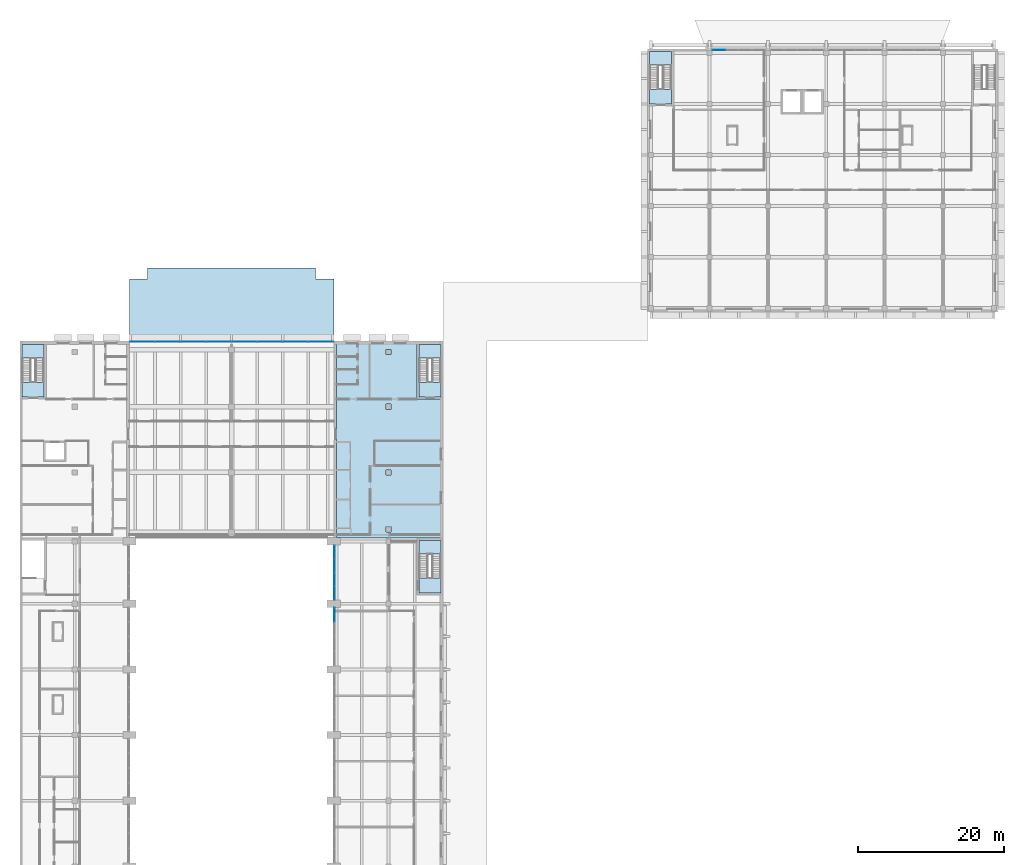
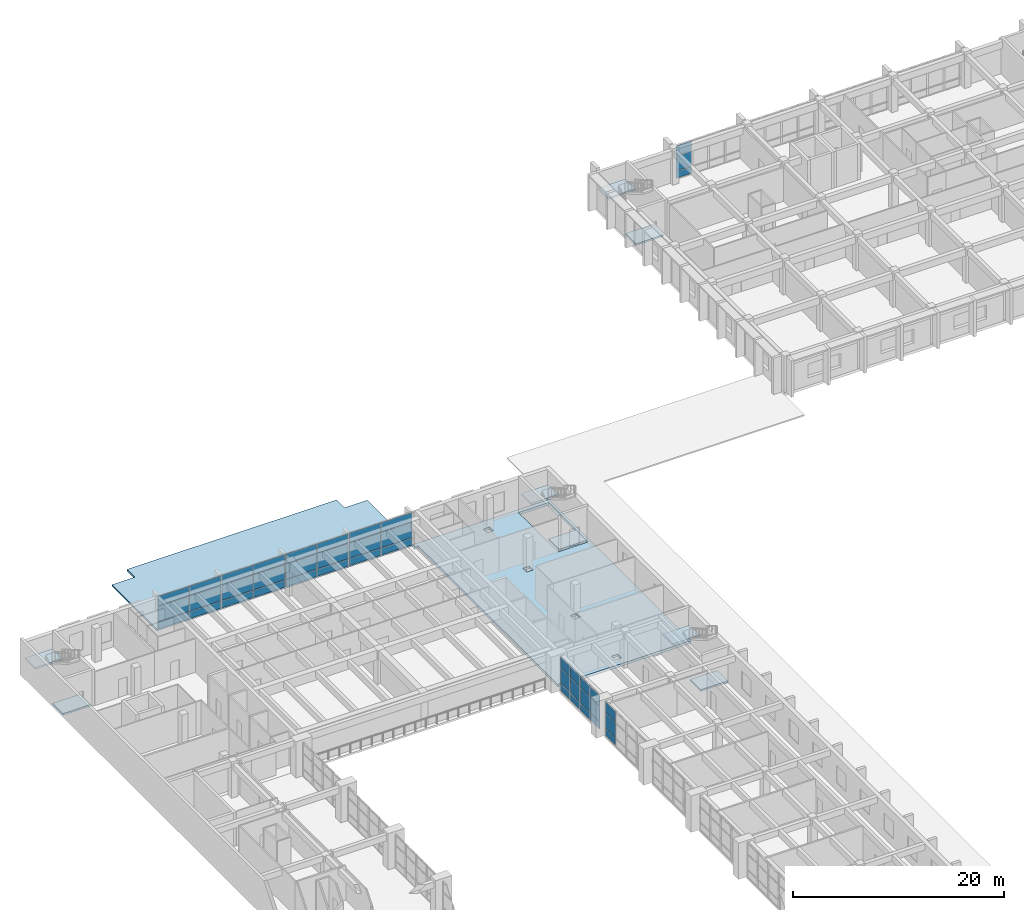
# One storey, part 23 of 45: 42 plates, 10 slabs, 11 elements without a shape of their own.
"""IFC4 building model written with IfcOpenShell, lengths in metres."""

from ifc_helpers import new_model, si_unit, direction, frame, origin, origin_2d, place, context, subcontext, project, spatial, polyline, rectangle, outline, extrude, material, layer, layer_set, type_object, element, aggregate, save


model = new_model("IFC4")

# Units and contexts
model_context = context("Model", 3, precision=1e-05, world=origin(), true_north=direction((0.0, 1.0)))
body_context = subcontext(model_context, "Body", "Model", "MODEL_VIEW")
ifc_project = project(units=[si_unit("LENGTHUNIT", "METRE"), si_unit("AREAUNIT", "SQUARE_METRE"), si_unit("VOLUMEUNIT", "CUBIC_METRE"), si_unit("PLANEANGLEUNIT", "RADIAN"), si_unit("MASSUNIT", "GRAM", prefix="KILO")], contexts=[model_context])

# Site, building, storey
site_placement = place(None, origin())
site = spatial("IfcSite", under=ifc_project, at=site_placement, CompositionType="ELEMENT")
building_placement = place(site_placement, origin())
building = spatial("IfcBuilding", under=site, at=building_placement, Name="Elmora Arch Market Hall", CompositionType="ELEMENT")
storey_placement = place(building_placement, frame((0.0, 0.0, 6.0)))
storey = spatial("IfcBuildingStorey", under=building, at=storey_placement, Name="L01", CompositionType="ELEMENT", Elevation=6.0)

# Slabs
ifc_material_1 = material(Name="Concrete C32/40", Category="concrete")
ifc_layer_1 = layer(ifc_material_1, 0.199951171875)
ifc_layer_set_1 = layer_set([ifc_layer_1], Name="Concrete C32/40")
slab_type_1 = type_object("IfcSlabType", Name="Canopy slab 200", PredefinedType="ROOF", material=ifc_layer_set_1)
slab_1_placement = place(storey_placement, frame((0.0, 0.0, -0.199951171875)))
element("IfcSlab", 1, at=slab_1_placement, inside=storey, type_object=slab_type_1, Name="Gate entrance canopy", PredefinedType="ROOF", context=body_context, shape_type="SweptSolid", body=[
    extrude(outline(polyline([(15.0, 134.5), (17.5, 134.5), (17.5, 136.0), (40.5, 136.0), (40.5, 134.5), (43.0, 134.5), (43.0, 126.0), (15.0, 126.0), (15.0, 134.5)])), origin(), (0.0, 0.0, 1.0), 0.199951171875),
])
ifc_material_2 = material(Name="Concrete C32/40", Category="concrete")
ifc_layer_2 = layer(ifc_material_2, 0.300048828125)
ifc_layer_set_2 = layer_set([ifc_layer_2], Name="Concrete C32/40")
slab_type_2 = type_object("IfcSlabType", Name="Floor slab 300", PredefinedType="FLOOR", material=ifc_layer_set_2)
slab_2_placement = place(storey_placement, frame((0.0, 0.0, -0.300048828125)))
element("IfcSlab", 2, at=slab_2_placement, inside=storey, type_object=slab_type_2, Name="L01 floor slab NE", PredefinedType="FLOOR", context=body_context, shape_type="SweptSolid", body=[
    extrude(outline(polyline([(43.0, 126.0), (58.0, 126.0), (58.0, 99.0), (57.700927734375, 99.0), (57.700927734375, 99.0009765625), (54.39892578125, 99.0009765625), (54.39892578125, 99.0), (43.90087890625, 99.0), (43.90087890625, 99.051025390625), (43.40087890625, 99.051025390625), (43.40087890625, 125.551025390625), (43.0, 125.551025390625), (43.0, 126.0)]), holes=[polyline([(54.39892578125, 125.551025390625), (54.39892578125, 118.049072265625), (57.700927734375, 118.049072265625), (57.700927734375, 125.551025390625), (54.39892578125, 125.551025390625)]), polyline([(50.14892578125, 100.551025390625), (50.14892578125, 99.84912109375), (50.85107421875, 99.84912109375), (50.85107421875, 100.551025390625), (50.14892578125, 100.551025390625)]), polyline([(50.85107421875, 108.35107421875), (50.14892578125, 108.35107421875), (50.14892578125, 107.64892578125), (50.85107421875, 107.64892578125), (50.85107421875, 108.35107421875)]), polyline([(50.85107421875, 117.35107421875), (50.14892578125, 117.35107421875), (50.14892578125, 116.64892578125), (50.85107421875, 116.64892578125), (50.85107421875, 117.35107421875)]), polyline([(50.14892578125, 124.85107421875), (50.14892578125, 124.14892578125), (50.85107421875, 124.14892578125), (50.85107421875, 124.85107421875), (50.14892578125, 124.85107421875)])]), origin(), (0.0, 0.0, 1.0), 0.300048828125),
])

# Curtain wall, plates
ifc_material_3 = material(Name="Aluminium", Category="aluminium")
curtain_wall_type_1 = type_object("IfcCurtainWallType", Name="Pavilion front curtain wall", PredefinedType="NOTDEFINED", material=ifc_material_3)
curtain_wall_1_placement = place(storey_placement, origin())
curtain_wall_1 = element("IfcCurtainWall", 3, at=curtain_wall_1_placement, inside=storey, type_object=curtain_wall_type_1, Name="Pavilion front L01 1", PredefinedType="NOTDEFINED")
ifc_material_4 = material(Name="Glass", Category="glass")
ifc_layer_3 = layer(ifc_material_4, 0.028076171875)
ifc_layer_set_3 = layer_set([ifc_layer_3], Name="Glass")
plate_type_1 = type_object("IfcPlateType", Name="Glass panel 28", PredefinedType="CURTAIN_PANEL", material=ifc_layer_set_3)
plate_1_placement = place(storey_placement, frame((16.77001953125, 125.89990234375, 0.06005859375), z_axis=(0.0, 0.0, 1.0), x_axis=(1.0, 0.0, 0.0)))
plate_1 = element("IfcPlate", 4, at=plate_1_placement, type_object=plate_type_1, Name="CW1 panel 1.1", PredefinedType="CURTAIN_PANEL", context=body_context, shape_type="SweptSolid", body=[
    extrude(rectangle(XDim=3.3798828125, YDim=0.028076171875, at=origin_2d()), origin(), (0.0, 0.0, 1.0), 0.81005859375),
])
plate_2_placement = place(storey_placement, frame((16.77001953125, 125.89990234375, 0.93017578125), z_axis=(0.0, 0.0, 1.0), x_axis=(1.0, 0.0, 0.0)))
plate_2 = element("IfcPlate", 5, at=plate_2_placement, type_object=plate_type_1, Name="CW1 panel 1.2", PredefinedType="CURTAIN_PANEL", context=body_context, shape_type="SweptSolid", body=[
    extrude(rectangle(XDim=3.3798828125, YDim=0.028076171875, at=origin_2d()), origin(), (0.0, 0.0, 1.0), 1.739990234375),
])
plate_3_placement = place(storey_placement, frame((16.77001953125, 125.89990234375, 2.72998046875), z_axis=(0.0, 0.0, 1.0), x_axis=(1.0, 0.0, 0.0)))
plate_3 = element("IfcPlate", 6, at=plate_3_placement, type_object=plate_type_1, Name="CW1 panel 1.3", PredefinedType="CURTAIN_PANEL", context=body_context, shape_type="SweptSolid", body=[
    extrude(rectangle(XDim=3.3798828125, YDim=0.028076171875, at=origin_2d()), origin(), (0.0, 0.0, 1.0), 1.110107421875),
])
plate_4_placement = place(storey_placement, frame((20.22998046875, 125.89990234375, 0.06005859375), z_axis=(0.0, 0.0, 1.0), x_axis=(1.0, 0.0, 0.0)))
plate_4 = element("IfcPlate", 7, at=plate_4_placement, type_object=plate_type_1, Name="CW1 panel 2.1", PredefinedType="CURTAIN_PANEL", context=body_context, shape_type="SweptSolid", body=[
    extrude(rectangle(XDim=3.3798828125, YDim=0.028076171875, at=origin_2d()), origin(), (0.0, 0.0, 1.0), 0.81005859375),
])
plate_5_placement = place(storey_placement, frame((20.22998046875, 125.89990234375, 0.93017578125), z_axis=(0.0, 0.0, 1.0), x_axis=(1.0, 0.0, 0.0)))
plate_5 = element("IfcPlate", 8, at=plate_5_placement, type_object=plate_type_1, Name="CW1 panel 2.2", PredefinedType="CURTAIN_PANEL", context=body_context, shape_type="SweptSolid", body=[
    extrude(rectangle(XDim=3.3798828125, YDim=0.028076171875, at=origin_2d()), origin(), (0.0, 0.0, 1.0), 1.739990234375),
])
plate_6_placement = place(storey_placement, frame((20.22998046875, 125.89990234375, 2.72998046875), z_axis=(0.0, 0.0, 1.0), x_axis=(1.0, 0.0, 0.0)))
plate_6 = element("IfcPlate", 9, at=plate_6_placement, type_object=plate_type_1, Name="CW1 panel 2.3", PredefinedType="CURTAIN_PANEL", context=body_context, shape_type="SweptSolid", body=[
    extrude(rectangle(XDim=3.3798828125, YDim=0.028076171875, at=origin_2d()), origin(), (0.0, 0.0, 1.0), 1.110107421875),
])
aggregate(curtain_wall_1, [plate_1, plate_2, plate_3, plate_4, plate_5, plate_6])

curtain_wall_2_placement = place(storey_placement, origin())
curtain_wall_2 = element("IfcCurtainWall", 10, at=curtain_wall_2_placement, inside=storey, type_object=curtain_wall_type_1, Name="Pavilion front L01 2", PredefinedType="NOTDEFINED")
plate_7_placement = place(storey_placement, frame((23.77001953125, 125.89990234375, 0.06005859375), z_axis=(0.0, 0.0, 1.0), x_axis=(1.0, 0.0, 0.0)))
plate_7 = element("IfcPlate", 11, at=plate_7_placement, type_object=plate_type_1, Name="CW1 panel 1.1", PredefinedType="CURTAIN_PANEL", context=body_context, shape_type="SweptSolid", body=[
    extrude(rectangle(XDim=3.3798828125, YDim=0.028076171875, at=origin_2d()), origin(), (0.0, 0.0, 1.0), 0.81005859375),
])
plate_8_placement = place(storey_placement, frame((23.77001953125, 125.89990234375, 0.93017578125), z_axis=(0.0, 0.0, 1.0), x_axis=(1.0, 0.0, 0.0)))
plate_8 = element("IfcPlate", 12, at=plate_8_placement, type_object=plate_type_1, Name="CW1 panel 1.2", PredefinedType="CURTAIN_PANEL", context=body_context, shape_type="SweptSolid", body=[
    extrude(rectangle(XDim=3.3798828125, YDim=0.028076171875, at=origin_2d()), origin(), (0.0, 0.0, 1.0), 1.739990234375),
])
plate_9_placement = place(storey_placement, frame((23.77001953125, 125.89990234375, 2.72998046875), z_axis=(0.0, 0.0, 1.0), x_axis=(1.0, 0.0, 0.0)))
plate_9 = element("IfcPlate", 13, at=plate_9_placement, type_object=plate_type_1, Name="CW1 panel 1.3", PredefinedType="CURTAIN_PANEL", context=body_context, shape_type="SweptSolid", body=[
    extrude(rectangle(XDim=3.3798828125, YDim=0.028076171875, at=origin_2d()), origin(), (0.0, 0.0, 1.0), 1.110107421875),
])
plate_10_placement = place(storey_placement, frame((27.22998046875, 125.89990234375, 0.06005859375), z_axis=(0.0, 0.0, 1.0), x_axis=(1.0, 0.0, 0.0)))
plate_10 = element("IfcPlate", 14, at=plate_10_placement, type_object=plate_type_1, Name="CW1 panel 2.1", PredefinedType="CURTAIN_PANEL", context=body_context, shape_type="SweptSolid", body=[
    extrude(rectangle(XDim=3.3798828125, YDim=0.028076171875, at=origin_2d()), origin(), (0.0, 0.0, 1.0), 0.81005859375),
])
plate_11_placement = place(storey_placement, frame((27.22998046875, 125.89990234375, 0.93017578125), z_axis=(0.0, 0.0, 1.0), x_axis=(1.0, 0.0, 0.0)))
plate_11 = element("IfcPlate", 15, at=plate_11_placement, type_object=plate_type_1, Name="CW1 panel 2.2", PredefinedType="CURTAIN_PANEL", context=body_context, shape_type="SweptSolid", body=[
    extrude(rectangle(XDim=3.3798828125, YDim=0.028076171875, at=origin_2d()), origin(), (0.0, 0.0, 1.0), 1.739990234375),
])
plate_12_placement = place(storey_placement, frame((27.22998046875, 125.89990234375, 2.72998046875), z_axis=(0.0, 0.0, 1.0), x_axis=(1.0, 0.0, 0.0)))
plate_12 = element("IfcPlate", 16, at=plate_12_placement, type_object=plate_type_1, Name="CW1 panel 2.3", PredefinedType="CURTAIN_PANEL", context=body_context, shape_type="SweptSolid", body=[
    extrude(rectangle(XDim=3.3798828125, YDim=0.028076171875, at=origin_2d()), origin(), (0.0, 0.0, 1.0), 1.110107421875),
])
aggregate(curtain_wall_2, [plate_7, plate_8, plate_9, plate_10, plate_11, plate_12])

curtain_wall_3_placement = place(storey_placement, origin())
curtain_wall_3 = element("IfcCurtainWall", 17, at=curtain_wall_3_placement, inside=storey, type_object=curtain_wall_type_1, Name="Pavilion front L01 3", PredefinedType="NOTDEFINED")
plate_13_placement = place(storey_placement, frame((30.77001953125, 125.89990234375, 0.06005859375), z_axis=(0.0, 0.0, 1.0), x_axis=(1.0, 0.0, 0.0)))
plate_13 = element("IfcPlate", 18, at=plate_13_placement, type_object=plate_type_1, Name="CW1 panel 1.1", PredefinedType="CURTAIN_PANEL", context=body_context, shape_type="SweptSolid", body=[
    extrude(rectangle(XDim=3.3798828125, YDim=0.028076171875, at=origin_2d()), origin(), (0.0, 0.0, 1.0), 0.81005859375),
])
plate_14_placement = place(storey_placement, frame((30.77001953125, 125.89990234375, 0.93017578125), z_axis=(0.0, 0.0, 1.0), x_axis=(1.0, 0.0, 0.0)))
plate_14 = element("IfcPlate", 19, at=plate_14_placement, type_object=plate_type_1, Name="CW1 panel 1.2", PredefinedType="CURTAIN_PANEL", context=body_context, shape_type="SweptSolid", body=[
    extrude(rectangle(XDim=3.3798828125, YDim=0.028076171875, at=origin_2d()), origin(), (0.0, 0.0, 1.0), 1.739990234375),
])
plate_15_placement = place(storey_placement, frame((30.77001953125, 125.89990234375, 2.72998046875), z_axis=(0.0, 0.0, 1.0), x_axis=(1.0, 0.0, 0.0)))
plate_15 = element("IfcPlate", 20, at=plate_15_placement, type_object=plate_type_1, Name="CW1 panel 1.3", PredefinedType="CURTAIN_PANEL", context=body_context, shape_type="SweptSolid", body=[
    extrude(rectangle(XDim=3.3798828125, YDim=0.028076171875, at=origin_2d()), origin(), (0.0, 0.0, 1.0), 1.110107421875),
])
plate_16_placement = place(storey_placement, frame((34.22998046875, 125.89990234375, 0.06005859375), z_axis=(0.0, 0.0, 1.0), x_axis=(1.0, 0.0, 0.0)))
plate_16 = element("IfcPlate", 21, at=plate_16_placement, type_object=plate_type_1, Name="CW1 panel 2.1", PredefinedType="CURTAIN_PANEL", context=body_context, shape_type="SweptSolid", body=[
    extrude(rectangle(XDim=3.3798828125, YDim=0.028076171875, at=origin_2d()), origin(), (0.0, 0.0, 1.0), 0.81005859375),
])
plate_17_placement = place(storey_placement, frame((34.22998046875, 125.89990234375, 0.93017578125), z_axis=(0.0, 0.0, 1.0), x_axis=(1.0, 0.0, 0.0)))
plate_17 = element("IfcPlate", 22, at=plate_17_placement, type_object=plate_type_1, Name="CW1 panel 2.2", PredefinedType="CURTAIN_PANEL", context=body_context, shape_type="SweptSolid", body=[
    extrude(rectangle(XDim=3.3798828125, YDim=0.028076171875, at=origin_2d()), origin(), (0.0, 0.0, 1.0), 1.739990234375),
])
plate_18_placement = place(storey_placement, frame((34.22998046875, 125.89990234375, 2.72998046875), z_axis=(0.0, 0.0, 1.0), x_axis=(1.0, 0.0, 0.0)))
plate_18 = element("IfcPlate", 23, at=plate_18_placement, type_object=plate_type_1, Name="CW1 panel 2.3", PredefinedType="CURTAIN_PANEL", context=body_context, shape_type="SweptSolid", body=[
    extrude(rectangle(XDim=3.3798828125, YDim=0.028076171875, at=origin_2d()), origin(), (0.0, 0.0, 1.0), 1.110107421875),
])
aggregate(curtain_wall_3, [plate_13, plate_14, plate_15, plate_16, plate_17, plate_18])

curtain_wall_4_placement = place(storey_placement, origin())
curtain_wall_4 = element("IfcCurtainWall", 24, at=curtain_wall_4_placement, inside=storey, type_object=curtain_wall_type_1, Name="Pavilion front L01 4", PredefinedType="NOTDEFINED")
plate_19_placement = place(storey_placement, frame((37.77001953125, 125.89990234375, 0.06005859375), z_axis=(0.0, 0.0, 1.0), x_axis=(1.0, 0.0, 0.0)))
plate_19 = element("IfcPlate", 25, at=plate_19_placement, type_object=plate_type_1, Name="CW1 panel 1.1", PredefinedType="CURTAIN_PANEL", context=body_context, shape_type="SweptSolid", body=[
    extrude(rectangle(XDim=3.3798828125, YDim=0.028076171875, at=origin_2d()), origin(), (0.0, 0.0, 1.0), 0.81005859375),
])
plate_20_placement = place(storey_placement, frame((37.77001953125, 125.89990234375, 0.93017578125), z_axis=(0.0, 0.0, 1.0), x_axis=(1.0, 0.0, 0.0)))
plate_20 = element("IfcPlate", 26, at=plate_20_placement, type_object=plate_type_1, Name="CW1 panel 1.2", PredefinedType="CURTAIN_PANEL", context=body_context, shape_type="SweptSolid", body=[
    extrude(rectangle(XDim=3.3798828125, YDim=0.028076171875, at=origin_2d()), origin(), (0.0, 0.0, 1.0), 1.739990234375),
])
plate_21_placement = place(storey_placement, frame((37.77001953125, 125.89990234375, 2.72998046875), z_axis=(0.0, 0.0, 1.0), x_axis=(1.0, 0.0, 0.0)))
plate_21 = element("IfcPlate", 27, at=plate_21_placement, type_object=plate_type_1, Name="CW1 panel 1.3", PredefinedType="CURTAIN_PANEL", context=body_context, shape_type="SweptSolid", body=[
    extrude(rectangle(XDim=3.3798828125, YDim=0.028076171875, at=origin_2d()), origin(), (0.0, 0.0, 1.0), 1.110107421875),
])
plate_22_placement = place(storey_placement, frame((41.22998046875, 125.89990234375, 0.06005859375), z_axis=(0.0, 0.0, 1.0), x_axis=(1.0, 0.0, 0.0)))
plate_22 = element("IfcPlate", 28, at=plate_22_placement, type_object=plate_type_1, Name="CW1 panel 2.1", PredefinedType="CURTAIN_PANEL", context=body_context, shape_type="SweptSolid", body=[
    extrude(rectangle(XDim=3.3798828125, YDim=0.028076171875, at=origin_2d()), origin(), (0.0, 0.0, 1.0), 0.81005859375),
])
plate_23_placement = place(storey_placement, frame((41.22998046875, 125.89990234375, 0.93017578125), z_axis=(0.0, 0.0, 1.0), x_axis=(1.0, 0.0, 0.0)))
plate_23 = element("IfcPlate", 29, at=plate_23_placement, type_object=plate_type_1, Name="CW1 panel 2.2", PredefinedType="CURTAIN_PANEL", context=body_context, shape_type="SweptSolid", body=[
    extrude(rectangle(XDim=3.3798828125, YDim=0.028076171875, at=origin_2d()), origin(), (0.0, 0.0, 1.0), 1.739990234375),
])
plate_24_placement = place(storey_placement, frame((41.22998046875, 125.89990234375, 2.72998046875), z_axis=(0.0, 0.0, 1.0), x_axis=(1.0, 0.0, 0.0)))
plate_24 = element("IfcPlate", 30, at=plate_24_placement, type_object=plate_type_1, Name="CW1 panel 2.3", PredefinedType="CURTAIN_PANEL", context=body_context, shape_type="SweptSolid", body=[
    extrude(rectangle(XDim=3.3798828125, YDim=0.028076171875, at=origin_2d()), origin(), (0.0, 0.0, 1.0), 1.110107421875),
])
aggregate(curtain_wall_4, [plate_19, plate_20, plate_21, plate_22, plate_23, plate_24])

ifc_material_5 = material(Name="Aluminium", Category="aluminium")
curtain_wall_type_2 = type_object("IfcCurtainWallType", Name="Hall front curtain wall", PredefinedType="NOTDEFINED", material=ifc_material_5)
curtain_wall_5_placement = place(storey_placement, origin())
curtain_wall_5 = element("IfcCurtainWall", 31, at=curtain_wall_5_placement, inside=storey, type_object=curtain_wall_type_2, Name="Wing front E L01 7", PredefinedType="NOTDEFINED")
plate_25_placement = place(storey_placement, frame((43.10009765625, 88.47998046875, 0.06005859375), z_axis=(0.0, 0.0, 1.0), x_axis=(0.0, 1.0, 0.0)))
plate_25 = element("IfcPlate", 32, at=plate_25_placement, type_object=plate_type_1, Name="CW2 panel 4.1", PredefinedType="CURTAIN_PANEL", context=body_context, shape_type="SweptSolid", body=[
    extrude(rectangle(XDim=1.8798828125, YDim=0.028076171875, at=origin_2d()), origin(), (0.0, 0.0, 1.0), 0.81005859375),
])
plate_26_placement = place(storey_placement, frame((43.10009765625, 88.47998046875, 0.93017578125), z_axis=(0.0, 0.0, 1.0), x_axis=(0.0, 1.0, 0.0)))
plate_26 = element("IfcPlate", 33, at=plate_26_placement, type_object=plate_type_1, Name="CW2 panel 4.2", PredefinedType="CURTAIN_PANEL", context=body_context, shape_type="SweptSolid", body=[
    extrude(rectangle(XDim=1.8798828125, YDim=0.028076171875, at=origin_2d()), origin(), (0.0, 0.0, 1.0), 1.739990234375),
])
plate_27_placement = place(storey_placement, frame((43.10009765625, 88.47998046875, 2.72998046875), z_axis=(0.0, 0.0, 1.0), x_axis=(0.0, 1.0, 0.0)))
plate_27 = element("IfcPlate", 34, at=plate_27_placement, type_object=plate_type_1, Name="CW2 panel 4.3", PredefinedType="CURTAIN_PANEL", context=body_context, shape_type="SweptSolid", body=[
    extrude(rectangle(XDim=1.8798828125, YDim=0.028076171875, at=origin_2d()), origin(), (0.0, 0.0, 1.0), 1.2099609375),
])
aggregate(curtain_wall_5, [plate_25, plate_26, plate_27])

curtain_wall_6_placement = place(storey_placement, origin())
curtain_wall_6 = element("IfcCurtainWall", 35, at=curtain_wall_6_placement, inside=storey, type_object=curtain_wall_type_2, Name="Wing front E L01 8", PredefinedType="NOTDEFINED")
plate_28_placement = place(storey_placement, frame((43.10009765625, 91.4638671875, 0.06005859375), z_axis=(0.0, 0.0, 1.0), x_axis=(0.0, 1.0, 0.0)))
plate_28 = element("IfcPlate", 36, at=plate_28_placement, type_object=plate_type_1, Name="CW2 panel 1.1", PredefinedType="CURTAIN_PANEL", context=body_context, shape_type="SweptSolid", body=[
    extrude(rectangle(XDim=1.767578125, YDim=0.028076171875, at=origin_2d()), origin(), (0.0, 0.0, 1.0), 0.81005859375),
])
plate_29_placement = place(storey_placement, frame((43.10009765625, 91.4638671875, 0.93017578125), z_axis=(0.0, 0.0, 1.0), x_axis=(0.0, 1.0, 0.0)))
plate_29 = element("IfcPlate", 37, at=plate_29_placement, type_object=plate_type_1, Name="CW2 panel 1.2", PredefinedType="CURTAIN_PANEL", context=body_context, shape_type="SweptSolid", body=[
    extrude(rectangle(XDim=1.767578125, YDim=0.028076171875, at=origin_2d()), origin(), (0.0, 0.0, 1.0), 1.739990234375),
])
plate_30_placement = place(storey_placement, frame((43.10009765625, 91.4638671875, 2.72998046875), z_axis=(0.0, 0.0, 1.0), x_axis=(0.0, 1.0, 0.0)))
plate_30 = element("IfcPlate", 38, at=plate_30_placement, type_object=plate_type_1, Name="CW2 panel 1.3", PredefinedType="CURTAIN_PANEL", context=body_context, shape_type="SweptSolid", body=[
    extrude(rectangle(XDim=1.767578125, YDim=0.028076171875, at=origin_2d()), origin(), (0.0, 0.0, 1.0), 1.2099609375),
])
plate_31_placement = place(storey_placement, frame((43.10009765625, 93.331298828125, 0.06005859375), z_axis=(0.0, 0.0, 1.0), x_axis=(0.0, 1.0, 0.0)))
plate_31 = element("IfcPlate", 39, at=plate_31_placement, type_object=plate_type_1, Name="CW2 panel 2.1", PredefinedType="CURTAIN_PANEL", context=body_context, shape_type="SweptSolid", body=[
    extrude(rectangle(XDim=1.8076171875, YDim=0.028076171875, at=origin_2d()), origin(), (0.0, 0.0, 1.0), 0.81005859375),
])
plate_32_placement = place(storey_placement, frame((43.10009765625, 93.331298828125, 0.93017578125), z_axis=(0.0, 0.0, 1.0), x_axis=(0.0, 1.0, 0.0)))
plate_32 = element("IfcPlate", 40, at=plate_32_placement, type_object=plate_type_1, Name="CW2 panel 2.2", PredefinedType="CURTAIN_PANEL", context=body_context, shape_type="SweptSolid", body=[
    extrude(rectangle(XDim=1.8076171875, YDim=0.028076171875, at=origin_2d()), origin(), (0.0, 0.0, 1.0), 1.739990234375),
])
plate_33_placement = place(storey_placement, frame((43.10009765625, 93.331298828125, 2.72998046875), z_axis=(0.0, 0.0, 1.0), x_axis=(0.0, 1.0, 0.0)))
plate_33 = element("IfcPlate", 41, at=plate_33_placement, type_object=plate_type_1, Name="CW2 panel 2.3", PredefinedType="CURTAIN_PANEL", context=body_context, shape_type="SweptSolid", body=[
    extrude(rectangle(XDim=1.8076171875, YDim=0.028076171875, at=origin_2d()), origin(), (0.0, 0.0, 1.0), 1.2099609375),
])
plate_34_placement = place(storey_placement, frame((43.10009765625, 95.21875, 0.06005859375), z_axis=(0.0, 0.0, 1.0), x_axis=(0.0, 1.0, 0.0)))
plate_34 = element("IfcPlate", 42, at=plate_34_placement, type_object=plate_type_1, Name="CW2 panel 3.1", PredefinedType="CURTAIN_PANEL", context=body_context, shape_type="SweptSolid", body=[
    extrude(rectangle(XDim=1.8076171875, YDim=0.028076171875, at=origin_2d()), origin(), (0.0, 0.0, 1.0), 0.81005859375),
])
plate_35_placement = place(storey_placement, frame((43.10009765625, 95.21875, 0.93017578125), z_axis=(0.0, 0.0, 1.0), x_axis=(0.0, 1.0, 0.0)))
plate_35 = element("IfcPlate", 43, at=plate_35_placement, type_object=plate_type_1, Name="CW2 panel 3.2", PredefinedType="CURTAIN_PANEL", context=body_context, shape_type="SweptSolid", body=[
    extrude(rectangle(XDim=1.8076171875, YDim=0.028076171875, at=origin_2d()), origin(), (0.0, 0.0, 1.0), 1.739990234375),
])
plate_36_placement = place(storey_placement, frame((43.10009765625, 95.21875, 2.72998046875), z_axis=(0.0, 0.0, 1.0), x_axis=(0.0, 1.0, 0.0)))
plate_36 = element("IfcPlate", 44, at=plate_36_placement, type_object=plate_type_1, Name="CW2 panel 3.3", PredefinedType="CURTAIN_PANEL", context=body_context, shape_type="SweptSolid", body=[
    extrude(rectangle(XDim=1.8076171875, YDim=0.028076171875, at=origin_2d()), origin(), (0.0, 0.0, 1.0), 1.2099609375),
])
plate_37_placement = place(storey_placement, frame((43.10009765625, 97.086181640625, 0.06005859375), z_axis=(0.0, 0.0, 1.0), x_axis=(0.0, 1.0, 0.0)))
plate_37 = element("IfcPlate", 45, at=plate_37_placement, type_object=plate_type_1, Name="CW2 panel 4.1", PredefinedType="CURTAIN_PANEL", context=body_context, shape_type="SweptSolid", body=[
    extrude(rectangle(XDim=1.767578125, YDim=0.028076171875, at=origin_2d()), origin(), (0.0, 0.0, 1.0), 0.81005859375),
])
plate_38_placement = place(storey_placement, frame((43.10009765625, 97.086181640625, 0.93017578125), z_axis=(0.0, 0.0, 1.0), x_axis=(0.0, 1.0, 0.0)))
plate_38 = element("IfcPlate", 46, at=plate_38_placement, type_object=plate_type_1, Name="CW2 panel 4.2", PredefinedType="CURTAIN_PANEL", context=body_context, shape_type="SweptSolid", body=[
    extrude(rectangle(XDim=1.767578125, YDim=0.028076171875, at=origin_2d()), origin(), (0.0, 0.0, 1.0), 1.739990234375),
])
plate_39_placement = place(storey_placement, frame((43.10009765625, 97.086181640625, 2.72998046875), z_axis=(0.0, 0.0, 1.0), x_axis=(0.0, 1.0, 0.0)))
plate_39 = element("IfcPlate", 47, at=plate_39_placement, type_object=plate_type_1, Name="CW2 panel 4.3", PredefinedType="CURTAIN_PANEL", context=body_context, shape_type="SweptSolid", body=[
    extrude(rectangle(XDim=1.767578125, YDim=0.028076171875, at=origin_2d()), origin(), (0.0, 0.0, 1.0), 1.2099609375),
])
aggregate(curtain_wall_6, [plate_28, plate_29, plate_30, plate_31, plate_32, plate_33, plate_34, plate_35, plate_36, plate_37, plate_38, plate_39])

ifc_material_6 = material(Name="Aluminium", Category="aluminium")
curtain_wall_type_3 = type_object("IfcCurtainWallType", Name="School front curtain wall", PredefinedType="NOTDEFINED", material=ifc_material_6)
curtain_wall_7_placement = place(storey_placement, origin())
curtain_wall_7 = element("IfcCurtainWall", 48, at=curtain_wall_7_placement, inside=storey, type_object=curtain_wall_type_3, Name="School street front L01 1", PredefinedType="NOTDEFINED")
ifc_material_7 = material(Name="Glass", Category="glass")
ifc_layer_4 = layer(ifc_material_7, 0.035888671875)
ifc_layer_set_4 = layer_set([ifc_layer_4], Name="Glass")
plate_type_2 = type_object("IfcPlateType", Name="Laminated glass panel 36", PredefinedType="CURTAIN_PANEL", material=ifc_layer_set_4)
plate_40_placement = place(storey_placement, frame((95.78759765625, 165.89990234375, 0.074951171875), z_axis=(0.0, 0.0, 1.0), x_axis=(1.0, 0.0, 0.0)))
plate_40 = element("IfcPlate", 49, at=plate_40_placement, type_object=plate_type_2, Name="CW5 panel 1.1", PredefinedType="CURTAIN_PANEL", context=body_context, shape_type="SweptSolid", body=[
    extrude(rectangle(XDim=1.675048828125, YDim=0.035888671875, at=origin_2d()), origin(), (0.0, 0.0, 1.0), 0.78759765625),
])
plate_41_placement = place(storey_placement, frame((95.78759765625, 165.89990234375, 0.9375), z_axis=(0.0, 0.0, 1.0), x_axis=(1.0, 0.0, 0.0)))
plate_41 = element("IfcPlate", 50, at=plate_41_placement, type_object=plate_type_2, Name="CW5 panel 1.2", PredefinedType="CURTAIN_PANEL", context=body_context, shape_type="SweptSolid", body=[
    extrude(rectangle(XDim=1.675048828125, YDim=0.035888671875, at=origin_2d()), origin(), (0.0, 0.0, 1.0), 1.72509765625),
])
plate_42_placement = place(storey_placement, frame((95.78759765625, 165.89990234375, 2.737548828125), z_axis=(0.0, 0.0, 1.0), x_axis=(1.0, 0.0, 0.0)))
plate_42 = element("IfcPlate", 51, at=plate_42_placement, type_object=plate_type_2, Name="CW5 panel 1.3", PredefinedType="CURTAIN_PANEL", context=body_context, shape_type="SweptSolid", body=[
    extrude(rectangle(XDim=1.675048828125, YDim=0.035888671875, at=origin_2d()), origin(), (0.0, 0.0, 1.0), 1.08740234375),
])
aggregate(curtain_wall_7, [plate_40, plate_41, plate_42])

# Stair, slabs
ifc_material_8 = material(Name="Concrete C40/50", Category="concrete")
stair_type = type_object("IfcStairType", Name="Exit stair 1200", PredefinedType="TWO_STRAIGHT_RUN_STAIR", material=ifc_material_8)
stair_1_placement = place(storey_placement, origin())
stair_1 = element("IfcStair", 52, at=stair_1_placement, inside=storey, type_object=stair_type, Name="Stair ST-W L01", PredefinedType="TWO_STRAIGHT_RUN_STAIR")
ifc_material_9 = material(Name="Concrete C32/40", Category="concrete")
ifc_layer_5 = layer(ifc_material_9, 0.199951171875)
ifc_layer_set_5 = layer_set([ifc_layer_5], Name="Concrete C32/40")
slab_type_3 = type_object("IfcSlabType", Name="Stair landing 200", PredefinedType="LANDING", material=ifc_layer_set_5)
slab_3_placement = place(storey_placement, frame((0.0, 0.0, -0.199951171875)))
slab_3 = element("IfcSlab", 53, at=slab_3_placement, type_object=slab_type_3, Name="Stair ST-W L01 landing 1", PredefinedType="LANDING", context=body_context, shape_type="SweptSolid", body=[
    extrude(outline(polyline([(0.300048828125, 118.35009765625), (3.300048828125, 118.35009765625), (3.300048828125, 120.35009765625), (0.300048828125, 120.35009765625), (0.300048828125, 118.35009765625)])), origin(), (0.0, 0.0, 1.0), 0.199951171875),
])
slab_4_placement = place(storey_placement, frame((0.0, 0.0, 1.89990234375)))
slab_4 = element("IfcSlab", 54, at=slab_4_placement, type_object=slab_type_3, Name="Stair ST-W L01 landing 2", PredefinedType="LANDING", context=body_context, shape_type="SweptSolid", body=[
    extrude(outline(polyline([(0.300048828125, 123.64990234375), (3.300048828125, 123.64990234375), (3.300048828125, 125.550048828125), (0.300048828125, 125.550048828125), (0.300048828125, 123.64990234375)])), origin(), (0.0, 0.0, 1.0), 0.2001953125),
])
aggregate(stair_1, [slab_3, slab_4])

stair_2_placement = place(storey_placement, origin())
stair_2 = element("IfcStair", 55, at=stair_2_placement, inside=storey, type_object=stair_type, Name="Stair ST-E L01", PredefinedType="TWO_STRAIGHT_RUN_STAIR")
slab_5_placement = place(storey_placement, frame((0.0, 0.0, -0.199951171875)))
slab_5 = element("IfcSlab", 56, at=slab_5_placement, type_object=slab_type_3, Name="Stair ST-E L01 landing 1", PredefinedType="LANDING", context=body_context, shape_type="SweptSolid", body=[
    extrude(outline(polyline([(54.699951171875, 118.35009765625), (57.699951171875, 118.35009765625), (57.699951171875, 120.35009765625), (54.699951171875, 120.35009765625), (54.699951171875, 118.35009765625)])), origin(), (0.0, 0.0, 1.0), 0.199951171875),
])
slab_6_placement = place(storey_placement, frame((0.0, 0.0, 1.89990234375)))
slab_6 = element("IfcSlab", 57, at=slab_6_placement, type_object=slab_type_3, Name="Stair ST-E L01 landing 2", PredefinedType="LANDING", context=body_context, shape_type="SweptSolid", body=[
    extrude(outline(polyline([(54.699951171875, 123.64990234375), (57.699951171875, 123.64990234375), (57.699951171875, 125.550048828125), (54.699951171875, 125.550048828125), (54.699951171875, 123.64990234375)])), origin(), (0.0, 0.0, 1.0), 0.2001953125),
])
aggregate(stair_2, [slab_5, slab_6])

stair_3_placement = place(storey_placement, origin())
stair_3 = element("IfcStair", 58, at=stair_3_placement, inside=storey, type_object=stair_type, Name="Stair ST-EN L01", PredefinedType="TWO_STRAIGHT_RUN_STAIR")
slab_7_placement = place(storey_placement, frame((0.0, 0.0, -0.199951171875)))
slab_7 = element("IfcSlab", 59, at=slab_7_placement, type_object=slab_type_3, Name="Stair ST-EN L01 landing 1", PredefinedType="LANDING", context=body_context, shape_type="SweptSolid", body=[
    extrude(outline(polyline([(54.699951171875, 91.5), (57.699951171875, 91.5), (57.699951171875, 93.5), (54.699951171875, 93.5), (54.699951171875, 91.5)])), origin(), (0.0, 0.0, 1.0), 0.199951171875),
])
slab_8_placement = place(storey_placement, frame((0.0, 0.0, 1.89990234375)))
slab_8 = element("IfcSlab", 60, at=slab_8_placement, type_object=slab_type_3, Name="Stair ST-EN L01 landing 2", PredefinedType="LANDING", context=body_context, shape_type="SweptSolid", body=[
    extrude(outline(polyline([(54.699951171875, 96.800048828125), (57.699951171875, 96.800048828125), (57.699951171875, 98.699951171875), (54.699951171875, 98.699951171875), (54.699951171875, 96.800048828125)])), origin(), (0.0, 0.0, 1.0), 0.2001953125),
])
aggregate(stair_3, [slab_7, slab_8])

stair_4_placement = place(storey_placement, origin())
stair_4 = element("IfcStair", 61, at=stair_4_placement, inside=storey, type_object=stair_type, Name="Stair ST-SCW L01", PredefinedType="TWO_STRAIGHT_RUN_STAIR")
slab_9_placement = place(storey_placement, frame((0.0, 0.0, -0.199951171875)))
slab_9 = element("IfcSlab", 62, at=slab_9_placement, type_object=slab_type_3, Name="Stair ST-SCW L01 landing 1", PredefinedType="LANDING", context=body_context, shape_type="SweptSolid", body=[
    extrude(outline(polyline([(86.300048828125, 158.5), (89.300048828125, 158.5), (89.300048828125, 160.5), (86.300048828125, 160.5), (86.300048828125, 158.5)])), origin(), (0.0, 0.0, 1.0), 0.199951171875),
])
slab_10_placement = place(storey_placement, frame((0.0, 0.0, 1.89990234375)))
slab_10 = element("IfcSlab", 63, at=slab_10_placement, type_object=slab_type_3, Name="Stair ST-SCW L01 landing 2", PredefinedType="LANDING", context=body_context, shape_type="SweptSolid", body=[
    extrude(outline(polyline([(86.300048828125, 163.800048828125), (89.300048828125, 163.800048828125), (89.300048828125, 165.699951171875), (86.300048828125, 165.699951171875), (86.300048828125, 163.800048828125)])), origin(), (0.0, 0.0, 1.0), 0.2001953125),
])
aggregate(stair_4, [slab_9, slab_10])

save(model, "model.ifc")
